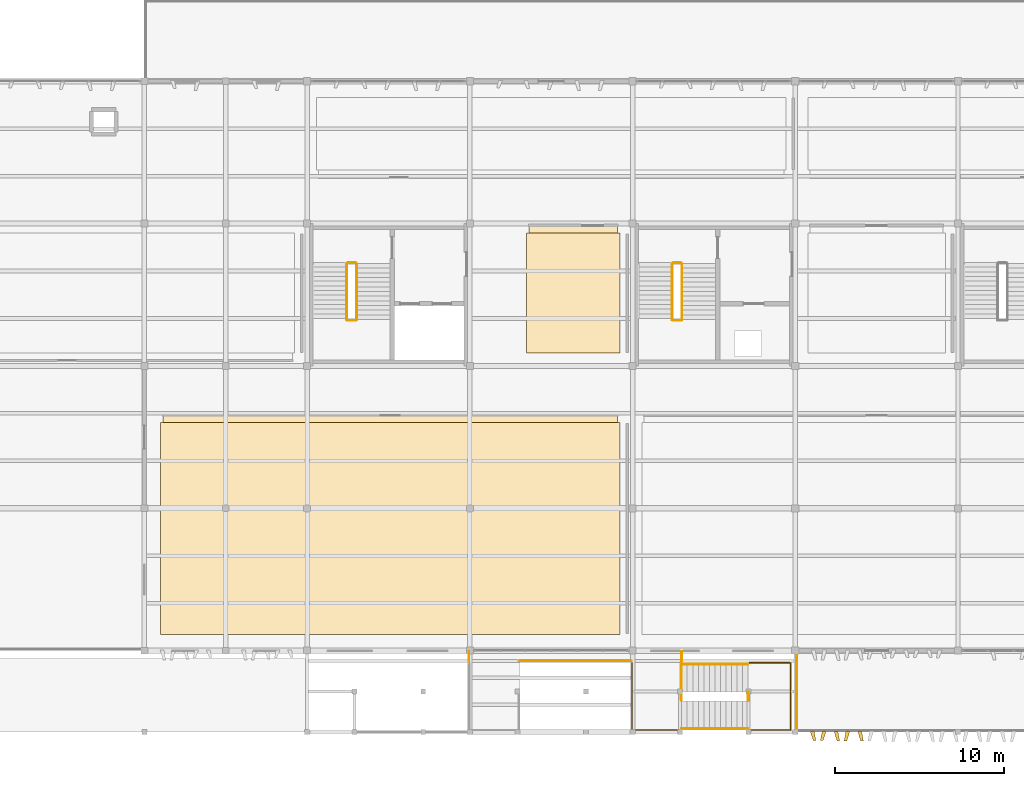
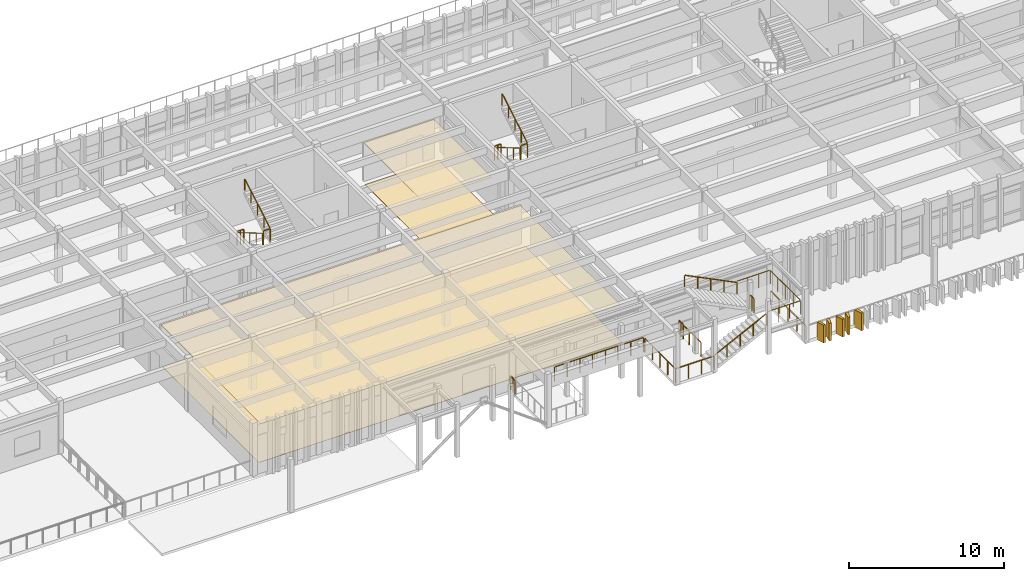
# One storey, part 54 of 61: 18 railings, 9 coverings.
"""IFC4 building model written with IfcOpenShell, lengths in metres."""

from ifc_helpers import new_model, si_unit, direction, frame, origin, origin_2d, place, context, subcontext, project, spatial, polyline, circle, outline, extrude, material, layer, layer_set, type_object, element, save


model = new_model("IFC4")

# Units and contexts
model_context = context("Model", 3, precision=1e-05, world=origin(), true_north=direction((0.0, 1.0)))
body_context = subcontext(model_context, "Body", "Model", "MODEL_VIEW")
ifc_project = project(units=[si_unit("LENGTHUNIT", "METRE"), si_unit("AREAUNIT", "SQUARE_METRE"), si_unit("VOLUMEUNIT", "CUBIC_METRE"), si_unit("PLANEANGLEUNIT", "RADIAN"), si_unit("MASSUNIT", "GRAM", prefix="KILO")], contexts=[model_context])

# Site, building, storey
site_placement = place(None, origin())
site = spatial("IfcSite", under=ifc_project, at=site_placement, CompositionType="ELEMENT")
building_placement = place(site_placement, origin())
building = spatial("IfcBuilding", under=site, at=building_placement, Name="Kolvemor Railside Polytechnic", CompositionType="ELEMENT")
storey_placement = place(building_placement, frame((0.0, 0.0, 10.199951171875)))
storey = spatial("IfcBuildingStorey", under=building, at=storey_placement, Name="L02", CompositionType="ELEMENT", Elevation=10.199951171875)

# Coverings
ifc_material_1 = material(Name="Perforated acoustic mineral-fibre and timber-slat ceiling", Category="wood")
ifc_layer_1 = layer(ifc_material_1, 0.02490234375, Name="COV-CEIL-1")
ifc_layer_set_1 = layer_set([ifc_layer_1], Name="Perforated acoustic mineral-fibre and timber-slat ceiling")
covering_type_1 = type_object("IfcCoveringType", Name="COV-CEIL-1", PredefinedType="CEILING", material=ifc_layer_set_1)
covering_1_placement = place(storey_placement, frame((0.0, 0.0, 3.005126953125)))
element("IfcCovering", 1, at=covering_1_placement, inside=storey, type_object=covering_type_1, Name="Parametric Timber Fabrication Design Studio Acoustic Ceiling", PredefinedType="CEILING", context=body_context, shape_type="SweptSolid", body=[
    extrude(outline(polyline([(58.679931640625, 5.75), (85.52001953125, 5.75), (85.52001953125, 18.679931640625), (58.679931640625, 18.679931640625), (58.679931640625, 5.75)])), origin(), (0.0, 0.0, 1.0), 0.02490234375),
])
covering_2_placement = place(storey_placement, frame((0.0, 0.0, 3.005126953125)))
element("IfcCovering", 2, at=covering_2_placement, inside=storey, type_object=covering_type_1, Name="Building Automation Systems Laboratory Acoustic Ceiling", PredefinedType="CEILING", context=body_context, shape_type="SweptSolid", body=[
    extrude(outline(polyline([(80.280029296875, 22.35009765625), (85.52001953125, 22.35009765625), (85.52001953125, 29.8798828125), (80.280029296875, 29.8798828125), (80.280029296875, 22.35009765625)])), origin(), (0.0, 0.0, 1.0), 0.02490234375),
])
ifc_material_2 = material(Name="Champagne-bronze PVDF-anodised marine aluminium 5052-H32", Category="aluminium")
ifc_layer_2 = layer(ifc_material_2, 0.179931640625, Name="COV-FIN-CHAMP")
ifc_layer_set_2 = layer_set([ifc_layer_2], Name="Champagne-bronze PVDF-anodised marine aluminium 5052-H32")
covering_type_2 = type_object("IfcCoveringType", Name="COV-FIN-CHAMP", PredefinedType="CLADDING", material=ifc_layer_set_2)
covering_3_placement = place(storey_placement, frame((0.0, 0.0, -0.239990234375)))
element("IfcCovering", 3, at=covering_3_placement, inside=storey, type_object=covering_type_2, Name="Pleated Solar Fin L02-0757", PredefinedType="CLADDING", context=body_context, shape_type="SweptSolid", body=[
    extrude(outline(polyline([(96.885009765625, 0.034912109375), (97.114990234375, 0.034912109375), (97.219970703125, -0.498046875), (97.06005859375, -0.498046875), (96.885009765625, 0.034912109375)])), origin(), (0.0, 0.0, 1.0), 1.39013671875),
])
covering_4_placement = place(storey_placement, frame((0.0, 0.0, -0.239990234375)))
element("IfcCovering", 4, at=covering_4_placement, inside=storey, type_object=covering_type_2, Name="Pleated Solar Fin L02-0758", PredefinedType="CLADDING", context=body_context, shape_type="SweptSolid", body=[
    extrude(outline(polyline([(97.5849609375, 0.034912109375), (97.81494140625, 0.034912109375), (97.639892578125, -0.507080078125), (97.47998046875, -0.507080078125), (97.5849609375, 0.034912109375)])), origin(), (0.0, 0.0, 1.0), 1.39013671875),
])
covering_5_placement = place(storey_placement, frame((0.0, 0.0, -0.239990234375)))
element("IfcCovering", 5, at=covering_5_placement, inside=storey, type_object=covering_type_2, Name="Pleated Solar Fin L02-0759", PredefinedType="CLADDING", context=body_context, shape_type="SweptSolid", body=[
    extrude(outline(polyline([(98.284912109375, 0.034912109375), (98.514892578125, 0.034912109375), (98.6201171875, -0.51611328125), (98.4599609375, -0.51611328125), (98.284912109375, 0.034912109375)])), origin(), (0.0, 0.0, 1.0), 1.39013671875),
])
covering_6_placement = place(storey_placement, frame((0.0, 0.0, -0.239990234375)))
element("IfcCovering", 6, at=covering_6_placement, inside=storey, type_object=covering_type_2, Name="Pleated Solar Fin L02-0760", PredefinedType="CLADDING", context=body_context, shape_type="SweptSolid", body=[
    extrude(outline(polyline([(98.985107421875, 0.034912109375), (99.215087890625, 0.034912109375), (99.0400390625, -0.52392578125), (98.8798828125, -0.52392578125), (98.985107421875, 0.034912109375)])), origin(), (0.0, 0.0, 1.0), 1.39013671875),
])
covering_7_placement = place(storey_placement, frame((0.0, 0.0, -0.239990234375)))
element("IfcCovering", 7, at=covering_7_placement, inside=storey, type_object=covering_type_2, Name="Pleated Solar Fin L02-0761", PredefinedType="CLADDING", context=body_context, shape_type="SweptSolid", body=[
    extrude(outline(polyline([(99.68505859375, 0.034912109375), (99.9150390625, 0.034912109375), (100.02001953125, -0.531982421875), (99.860107421875, -0.531982421875), (99.68505859375, 0.034912109375)])), origin(), (0.0, 0.0, 1.0), 1.39013671875),
])
ifc_material_3 = material(Name="Polished coral-aggregate terrazzo and laboratory epoxy flooring")
ifc_layer_3 = layer(ifc_material_3, 0.02001953125, Name="COV-FLR-1")
ifc_layer_set_3 = layer_set([ifc_layer_3], Name="Polished coral-aggregate terrazzo and laboratory epoxy flooring")
covering_type_3 = type_object("IfcCoveringType", Name="COV-FLR-1", PredefinedType="FLOORING", material=ifc_layer_set_3)
covering_8_placement = place(storey_placement, origin())
element("IfcCovering", 8, at=covering_8_placement, inside=storey, type_object=covering_type_3, Name="Parametric Timber Fabrication Design Studio Floor Finish", PredefinedType="FLOORING", context=body_context, shape_type="SweptSolid", body=[
    extrude(outline(polyline([(58.550048828125, 5.75), (85.64990234375, 5.75), (85.64990234375, 18.25), (58.550048828125, 18.25), (58.550048828125, 5.75)])), origin(), (0.0, 0.0, 1.0), 0.02001953125),
])
covering_9_placement = place(storey_placement, origin())
element("IfcCovering", 9, at=covering_9_placement, inside=storey, type_object=covering_type_3, Name="Building Automation Systems Laboratory Floor Finish", PredefinedType="FLOORING", context=body_context, shape_type="SweptSolid", body=[
    extrude(outline(polyline([(80.14990234375, 22.35009765625), (85.64990234375, 22.35009765625), (85.64990234375, 29.449951171875), (80.14990234375, 29.449951171875), (80.14990234375, 22.35009765625)])), origin(), (0.0, 0.0, 1.0), 0.02001953125),
])

# Railings
ifc_material_4 = material(Name="AISI 316 marine stainless-steel balustrade guard", Category="steel")
railing_type_1 = type_object("IfcRailingType", Name="RLG-GUARD-1120", PredefinedType="BALUSTRADE", material=ifc_material_4)
railing_1_placement = place(storey_placement, frame((96.080078125, 4.659912109375, 0.0)))
element("IfcRailing", 10, at=railing_1_placement, inside=storey, type_object=railing_type_1, Name="Shifted East Loggia Terrace L02 W Guard GR-010", PredefinedType="BALUSTRADE", context=body_context, shape_type="SweptSolid", body=[
    extrude(circle(Radius=0.02392578125, at=origin_2d()), frame((0.0, -0.054931640625, 1.09619140625), z_axis=(0.0, -1.0, 0.0), x_axis=(1.0, 0.0, 0.0)), (0.0, 0.0, 1.0), 4.4697265625),
    extrude(circle(Radius=0.02099609375, at=origin_2d()), origin(), (0.0, 0.0, 1.0), 1.05712890625),
    extrude(circle(Radius=0.02099609375, at=origin_2d()), frame((0.0, -1.14501953125, 0.0)), (0.0, 0.0, 1.0), 1.05712890625),
    extrude(circle(Radius=0.02099609375, at=origin_2d()), frame((0.0, -2.2900390625, 0.0)), (0.0, 0.0, 1.0), 1.05712890625),
    extrude(circle(Radius=0.02099609375, at=origin_2d()), frame((0.0, -3.434814453125, 0.0)), (0.0, 0.0, 1.0), 1.05712890625),
    extrude(circle(Radius=0.02099609375, at=origin_2d()), frame((0.0, -4.579833984375, 0.0)), (0.0, 0.0, 1.0), 1.05712890625),
])
railing_2_placement = place(storey_placement, frame((69.580078125, 27.679931640625, 0.0)))
element("IfcRailing", 11, at=railing_2_placement, inside=storey, type_object=railing_type_1, Name="ST-1 Floor Slot Guard L02", PredefinedType="BALUSTRADE", context=body_context, shape_type="SweptSolid", body=[
    extrude(circle(Radius=0.02392578125, at=origin_2d()), frame((0.054931640625, 0.0, 1.09619140625), z_axis=(1.0, 0.0, 0.0), x_axis=(0.0, 1.0, 0.0)), (0.0, 0.0, 1.0), 0.389892578125),
    extrude(circle(Radius=0.02099609375, at=origin_2d()), origin(), (0.0, 0.0, 1.0), 1.05712890625),
    extrude(circle(Radius=0.02099609375, at=origin_2d()), frame((0.25, 0.0, 0.0)), (0.0, 0.0, 1.0), 1.05712890625),
    extrude(circle(Radius=0.02099609375, at=origin_2d()), frame((0.5, 0.0, 0.0)), (0.0, 0.0, 1.0), 1.05712890625),
])
railing_3_placement = place(storey_placement, frame((69.580078125, 24.280029296875, 2.10009765625)))
element("IfcRailing", 12, at=railing_3_placement, inside=storey, type_object=railing_type_1, Name="ST-1 Half-Landing Slot Guard L02", PredefinedType="BALUSTRADE", context=body_context, shape_type="SweptSolid", body=[
    extrude(circle(Radius=0.02392578125, at=origin_2d()), frame((0.054931640625, 0.0, 1.09619140625), z_axis=(1.0, 0.0, 0.0), x_axis=(0.0, 1.0, 0.0)), (0.0, 0.0, 1.0), 0.389892578125),
    extrude(circle(Radius=0.02099609375, at=origin_2d()), origin(), (0.0, 0.0, 1.0), 1.05712890625),
    extrude(circle(Radius=0.02099609375, at=origin_2d()), frame((0.5, 0.0, 0.0)), (0.0, 0.0, 1.0), 1.05712890625),
])
railing_4_placement = place(storey_placement, frame((88.780029296875, 27.679931640625, 0.0)))
element("IfcRailing", 13, at=railing_4_placement, inside=storey, type_object=railing_type_1, Name="ST-3 Floor Slot Guard L02", PredefinedType="BALUSTRADE", context=body_context, shape_type="SweptSolid", body=[
    extrude(circle(Radius=0.02392578125, at=origin_2d()), frame((0.054931640625, 0.0, 1.09619140625), z_axis=(1.0, 0.0, 0.0), x_axis=(0.0, 1.0, 0.0)), (0.0, 0.0, 1.0), 0.389892578125),
    extrude(circle(Radius=0.02099609375, at=origin_2d()), origin(), (0.0, 0.0, 1.0), 1.05712890625),
    extrude(circle(Radius=0.02099609375, at=origin_2d()), frame((0.25, 0.0, 0.0)), (0.0, 0.0, 1.0), 1.05712890625),
    extrude(circle(Radius=0.02099609375, at=origin_2d()), frame((0.5, 0.0, 0.0)), (0.0, 0.0, 1.0), 1.05712890625),
])
railing_5_placement = place(storey_placement, frame((88.780029296875, 24.280029296875, 2.10009765625)))
element("IfcRailing", 14, at=railing_5_placement, inside=storey, type_object=railing_type_1, Name="ST-3 Half-Landing Slot Guard L02", PredefinedType="BALUSTRADE", context=body_context, shape_type="SweptSolid", body=[
    extrude(circle(Radius=0.02392578125, at=origin_2d()), frame((0.054931640625, 0.0, 1.09619140625), z_axis=(1.0, 0.0, 0.0), x_axis=(0.0, 1.0, 0.0)), (0.0, 0.0, 1.0), 0.389892578125),
    extrude(circle(Radius=0.02099609375, at=origin_2d()), origin(), (0.0, 0.0, 1.0), 1.05712890625),
    extrude(circle(Radius=0.02099609375, at=origin_2d()), frame((0.5, 0.0, 0.0)), (0.0, 0.0, 1.0), 1.05712890625),
])
railing_6_placement = place(storey_placement, frame((89.280029296875, 0.1201171875, 0.0)))
element("IfcRailing", 15, at=railing_6_placement, inside=storey, type_object=railing_type_1, Name="ST-EXT Departure Landing Guard L02", PredefinedType="BALUSTRADE", context=body_context, shape_type="SweptSolid", body=[
    extrude(circle(Radius=0.02392578125, at=origin_2d()), frame((-0.054931640625, 0.0, 1.09619140625), z_axis=(-1.0, 0.0, 0.0), x_axis=(0.0, -1.0, 0.0)), (0.0, 0.0, 1.0), 2.7998046875),
    extrude(circle(Radius=0.02392578125, at=origin_2d()), frame((-2.909912109375, 0.054931640625, 1.09619140625), z_axis=(0.0, 1.0, 0.0), x_axis=(-1.0, 0.0, 0.0)), (0.0, 0.0, 1.0), 3.849853515625),
    extrude(circle(Radius=0.02099609375, at=origin_2d()), origin(), (0.0, 0.0, 1.0), 1.05712890625),
    extrude(circle(Radius=0.02099609375, at=origin_2d()), frame((-0.969970703125, 0.0, 0.0)), (0.0, 0.0, 1.0), 1.05712890625),
    extrude(circle(Radius=0.02099609375, at=origin_2d()), frame((-1.93994140625, 0.0, 0.0)), (0.0, 0.0, 1.0), 1.05712890625),
    extrude(circle(Radius=0.02099609375, at=origin_2d()), frame((-2.909912109375, 0.0, 0.0)), (0.0, 0.0, 1.0), 1.05712890625),
    extrude(circle(Radius=0.02099609375, at=origin_2d()), frame((-2.909912109375, 0.989990234375, 0.0)), (0.0, 0.0, 1.0), 1.05712890625),
    extrude(circle(Radius=0.02099609375, at=origin_2d()), frame((-2.909912109375, 1.97998046875, 0.0)), (0.0, 0.0, 1.0), 1.05712890625),
    extrude(circle(Radius=0.02099609375, at=origin_2d()), frame((-2.909912109375, 2.969970703125, 0.0)), (0.0, 0.0, 1.0), 1.05712890625),
    extrude(circle(Radius=0.02099609375, at=origin_2d()), frame((-2.909912109375, 3.9599609375, 0.0)), (0.0, 0.0, 1.0), 1.05712890625),
])
railing_7_placement = place(storey_placement, frame((89.280029296875, 1.860107421875, 0.0)))
element("IfcRailing", 16, at=railing_7_placement, inside=storey, type_object=railing_type_1, Name="ST-EXT Departure Landing East Guard L02", PredefinedType="BALUSTRADE", context=body_context, shape_type="SweptSolid", body=[
    extrude(circle(Radius=0.02392578125, at=origin_2d()), frame((0.0, 0.054931640625, 1.09619140625), z_axis=(0.0, 1.0, 0.0), x_axis=(-1.0, 0.0, 0.0)), (0.0, 0.0, 1.0), 2.169677734375),
    extrude(circle(Radius=0.02099609375, at=origin_2d()), origin(), (0.0, 0.0, 1.0), 1.05712890625),
    extrude(circle(Radius=0.02099609375, at=origin_2d()), frame((0.0, 0.760009765625, 0.0)), (0.0, 0.0, 1.0), 1.05712890625),
    extrude(circle(Radius=0.02099609375, at=origin_2d()), frame((0.0, 1.519775390625, 0.0)), (0.0, 0.0, 1.0), 1.05712890625),
    extrude(circle(Radius=0.02099609375, at=origin_2d()), frame((0.0, 2.27978515625, 0.0)), (0.0, 0.0, 1.0), 1.05712890625),
])
railing_8_placement = place(storey_placement, frame((79.7099609375, 4.199951171875, 0.0)))
element("IfcRailing", 17, at=railing_8_placement, inside=storey, type_object=railing_type_1, Name="ST-EXT Rear Gallery South Guard L02-1", PredefinedType="BALUSTRADE", context=body_context, shape_type="SweptSolid", body=[
    extrude(circle(Radius=0.02392578125, at=origin_2d()), frame((0.054931640625, 0.0, 1.09619140625), z_axis=(1.0, 0.0, 0.0), x_axis=(0.0, 1.0, 0.0)), (0.0, 0.0, 1.0), 6.52001953125),
    extrude(circle(Radius=0.02099609375, at=origin_2d()), origin(), (0.0, 0.0, 1.0), 1.05712890625),
    extrude(circle(Radius=0.02099609375, at=origin_2d()), frame((0.947265625, 0.0, 0.0)), (0.0, 0.0, 1.0), 1.05712890625),
    extrude(circle(Radius=0.02099609375, at=origin_2d()), frame((1.894287109375, 0.0, 0.0)), (0.0, 0.0, 1.0), 1.05712890625),
    extrude(circle(Radius=0.02099609375, at=origin_2d()), frame((2.841552734375, 0.0, 0.0)), (0.0, 0.0, 1.0), 1.05712890625),
    extrude(circle(Radius=0.02099609375, at=origin_2d()), frame((3.78857421875, 0.0, 0.0)), (0.0, 0.0, 1.0), 1.05712890625),
    extrude(circle(Radius=0.02099609375, at=origin_2d()), frame((4.73583984375, 0.0, 0.0)), (0.0, 0.0, 1.0), 1.05712890625),
    extrude(circle(Radius=0.02099609375, at=origin_2d()), frame((5.682861328125, 0.0, 0.0)), (0.0, 0.0, 1.0), 1.05712890625),
    extrude(circle(Radius=0.02099609375, at=origin_2d()), frame((6.630126953125, 0.0, 0.0)), (0.0, 0.0, 1.0), 1.05712890625),
])
for number, where, name in (
    (18, (76.75, 4.179931640625, 0.0), "ST-EXT Rear Gallery West End Guard L02-1"),
    (19, (89.300048828125, 4.179931640625, 0.0), "ST-EXT Rear Gallery East End Guard L02-1"),
):
    element("IfcRailing", number, at=place(storey_placement, frame(where)), inside=storey, type_object=railing_type_1, Name=name, PredefinedType="BALUSTRADE", context=body_context, shape_type="SweptSolid", body=[
        extrude(circle(Radius=0.02392578125, at=origin_2d()), frame((0.0, 0.054931640625, 1.09619140625), z_axis=(0.0, 1.0, 0.0), x_axis=(-1.0, 0.0, 0.0)), (0.0, 0.0, 1.0), 0.449951171875),
        extrude(circle(Radius=0.02099609375, at=origin_2d()), origin(), (0.0, 0.0, 1.0), 1.05712890625),
        extrude(circle(Radius=0.02099609375, at=origin_2d()), frame((0.0, 0.280029296875, 0.0)), (0.0, 0.0, 1.0), 1.05712890625),
        extrude(circle(Radius=0.02099609375, at=origin_2d()), frame((0.0, 0.56005859375, 0.0)), (0.0, 0.0, 1.0), 1.05712890625),
    ])
railing_9_placement = place(storey_placement, frame((93.219970703125, 0.1201171875, 2.10009765625)))
element("IfcRailing", 20, at=railing_9_placement, inside=storey, type_object=railing_type_1, Name="ST-EXT Half-Landing Perimeter Guard L02", PredefinedType="BALUSTRADE", context=body_context, shape_type="SweptSolid", body=[
    extrude(circle(Radius=0.02392578125, at=origin_2d()), frame((0.054931640625, 0.0, 1.09619140625), z_axis=(1.0, 0.0, 0.0), x_axis=(0.0, 1.0, 0.0)), (0.0, 0.0, 1.0), 2.389892578125),
    extrude(circle(Radius=0.02392578125, at=origin_2d()), frame((2.5, 0.054931640625, 1.09619140625), z_axis=(0.0, 1.0, 0.0), x_axis=(-1.0, 0.0, 0.0)), (0.0, 0.0, 1.0), 3.849853515625),
    extrude(circle(Radius=0.02392578125, at=origin_2d()), frame((2.445068359375, 3.9599609375, 1.09619140625), z_axis=(-1.0, 0.0, 0.0), x_axis=(0.0, -1.0, 0.0)), (0.0, 0.0, 1.0), 2.389892578125),
    extrude(circle(Radius=0.02099609375, at=origin_2d()), origin(), (0.0, 0.0, 1.0), 1.05712890625),
    extrude(circle(Radius=0.02099609375, at=origin_2d()), frame((0.833251953125, 0.0, 0.0)), (0.0, 0.0, 1.0), 1.05712890625),
    extrude(circle(Radius=0.02099609375, at=origin_2d()), frame((1.666748046875, 0.0, 0.0)), (0.0, 0.0, 1.0), 1.05712890625),
    extrude(circle(Radius=0.02099609375, at=origin_2d()), frame((2.5, 0.0, 0.0)), (0.0, 0.0, 1.0), 1.05712890625),
    extrude(circle(Radius=0.02099609375, at=origin_2d()), frame((2.5, 0.989990234375, 0.0)), (0.0, 0.0, 1.0), 1.05712890625),
    extrude(circle(Radius=0.02099609375, at=origin_2d()), frame((2.5, 1.97998046875, 0.0)), (0.0, 0.0, 1.0), 1.05712890625),
    extrude(circle(Radius=0.02099609375, at=origin_2d()), frame((2.5, 2.969970703125, 0.0)), (0.0, 0.0, 1.0), 1.05712890625),
    extrude(circle(Radius=0.02099609375, at=origin_2d()), frame((2.5, 3.9599609375, 0.0)), (0.0, 0.0, 1.0), 1.05712890625),
    extrude(circle(Radius=0.02099609375, at=origin_2d()), frame((1.666748046875, 3.9599609375, 0.0)), (0.0, 0.0, 1.0), 1.05712890625),
    extrude(circle(Radius=0.02099609375, at=origin_2d()), frame((0.833251953125, 3.9599609375, 0.0)), (0.0, 0.0, 1.0), 1.05712890625),
    extrude(circle(Radius=0.02099609375, at=origin_2d()), frame((0.0, 3.9599609375, 0.0)), (0.0, 0.0, 1.0), 1.05712890625),
])
railing_10_placement = place(storey_placement, frame((93.219970703125, 1.840087890625, 2.10009765625)))
element("IfcRailing", 21, at=railing_10_placement, inside=storey, type_object=railing_type_1, Name="ST-EXT Half-Landing Slot Guard L02", PredefinedType="BALUSTRADE", context=body_context, shape_type="SweptSolid", body=[
    extrude(circle(Radius=0.02392578125, at=origin_2d()), frame((0.0, 0.054931640625, 1.09619140625), z_axis=(0.0, 1.0, 0.0), x_axis=(-1.0, 0.0, 0.0)), (0.0, 0.0, 1.0), 0.409912109375),
    extrude(circle(Radius=0.02099609375, at=origin_2d()), origin(), (0.0, 0.0, 1.0), 1.05712890625),
    extrude(circle(Radius=0.02099609375, at=origin_2d()), frame((0.0, 0.260009765625, 0.0)), (0.0, 0.0, 1.0), 1.05712890625),
    extrude(circle(Radius=0.02099609375, at=origin_2d()), frame((0.0, 0.52001953125, 0.0)), (0.0, 0.0, 1.0), 1.05712890625),
])
ifc_material_5 = material(Name="Brushed AISI 316 stainless-steel stair handrail", Category="steel")
railing_type_2 = type_object("IfcRailingType", Name="RLG-HANDRAIL-920", PredefinedType="HANDRAIL", material=ifc_material_5)
railing_11_placement = place(storey_placement, frame((69.5400390625, 27.6201171875, 0.16162109375)))
element("IfcRailing", 22, at=railing_11_placement, inside=storey, type_object=railing_type_2, Name="ST-1 Flight 1 Handrail L02", PredefinedType="HANDRAIL", context=body_context, shape_type="SweptSolid", body=[
    extrude(circle(Radius=0.02392578125, at=origin_2d()), frame((0.0, -0.04736328125, 0.923828125), z_axis=(0.0, -0.862245621732, 0.506490362991), x_axis=(1.0, 0.0, 0.0)), (0.0, 0.0, 1.0), 3.71728515625),
    extrude(circle(Radius=0.02099609375, at=origin_2d()), origin(), (0.0, 0.0, 1.0), 0.85693359375),
    extrude(circle(Radius=0.02099609375, at=origin_2d()), frame((0.0, -0.824951171875, 0.484619140625)), (0.0, 0.0, 1.0), 0.85693359375),
    extrude(circle(Radius=0.02099609375, at=origin_2d()), frame((0.0, -1.64990234375, 0.96923828125)), (0.0, 0.0, 1.0), 0.85693359375),
    extrude(circle(Radius=0.02099609375, at=origin_2d()), frame((0.0, -2.47509765625, 1.453857421875)), (0.0, 0.0, 1.0), 0.85693359375),
    extrude(circle(Radius=0.02099609375, at=origin_2d()), frame((0.0, -3.300048828125, 1.9384765625)), (0.0, 0.0, 1.0), 0.85693359375),
])
railing_12_placement = place(storey_placement, frame((70.1201171875, 24.320068359375, 2.261474609375)))
element("IfcRailing", 23, at=railing_12_placement, inside=storey, type_object=railing_type_2, Name="ST-1 Flight 2 Handrail L02", PredefinedType="HANDRAIL", context=body_context, shape_type="SweptSolid", body=[
    extrude(circle(Radius=0.02392578125, at=origin_2d()), frame((0.0, 0.04736328125, 0.923828125), z_axis=(0.0, 0.862245621732, 0.506490362991), x_axis=(-1.0, 0.0, 0.0)), (0.0, 0.0, 1.0), 3.71728515625),
    extrude(circle(Radius=0.02099609375, at=origin_2d()), origin(), (0.0, 0.0, 1.0), 0.85693359375),
    extrude(circle(Radius=0.02099609375, at=origin_2d()), frame((0.0, 0.824951171875, 0.484619140625)), (0.0, 0.0, 1.0), 0.85693359375),
    extrude(circle(Radius=0.02099609375, at=origin_2d()), frame((0.0, 1.64990234375, 0.96923828125)), (0.0, 0.0, 1.0), 0.85693359375),
    extrude(circle(Radius=0.02099609375, at=origin_2d()), frame((0.0, 2.47509765625, 1.453857421875)), (0.0, 0.0, 1.0), 0.85693359375),
    extrude(circle(Radius=0.02099609375, at=origin_2d()), frame((0.0, 3.300048828125, 1.9384765625)), (0.0, 0.0, 1.0), 0.85693359375),
])
railing_13_placement = place(storey_placement, frame((88.739990234375, 27.6201171875, 0.16162109375)))
element("IfcRailing", 24, at=railing_13_placement, inside=storey, type_object=railing_type_2, Name="ST-3 Flight 1 Handrail L02", PredefinedType="HANDRAIL", context=body_context, shape_type="SweptSolid", body=[
    extrude(circle(Radius=0.02392578125, at=origin_2d()), frame((0.0, -0.04736328125, 0.923828125), z_axis=(0.0, -0.862245621732, 0.506490362991), x_axis=(1.0, 0.0, 0.0)), (0.0, 0.0, 1.0), 3.71728515625),
    extrude(circle(Radius=0.02099609375, at=origin_2d()), origin(), (0.0, 0.0, 1.0), 0.85693359375),
    extrude(circle(Radius=0.02099609375, at=origin_2d()), frame((0.0, -0.824951171875, 0.484619140625)), (0.0, 0.0, 1.0), 0.85693359375),
    extrude(circle(Radius=0.02099609375, at=origin_2d()), frame((0.0, -1.64990234375, 0.96923828125)), (0.0, 0.0, 1.0), 0.85693359375),
    extrude(circle(Radius=0.02099609375, at=origin_2d()), frame((0.0, -2.47509765625, 1.453857421875)), (0.0, 0.0, 1.0), 0.85693359375),
    extrude(circle(Radius=0.02099609375, at=origin_2d()), frame((0.0, -3.300048828125, 1.9384765625)), (0.0, 0.0, 1.0), 0.85693359375),
])
railing_14_placement = place(storey_placement, frame((89.320068359375, 24.320068359375, 2.261474609375)))
element("IfcRailing", 25, at=railing_14_placement, inside=storey, type_object=railing_type_2, Name="ST-3 Flight 2 Handrail L02", PredefinedType="HANDRAIL", context=body_context, shape_type="SweptSolid", body=[
    extrude(circle(Radius=0.02392578125, at=origin_2d()), frame((0.0, 0.04736328125, 0.923828125), z_axis=(0.0, 0.862245621732, 0.506490362991), x_axis=(-1.0, 0.0, 0.0)), (0.0, 0.0, 1.0), 3.71728515625),
    extrude(circle(Radius=0.02099609375, at=origin_2d()), origin(), (0.0, 0.0, 1.0), 0.85693359375),
    extrude(circle(Radius=0.02099609375, at=origin_2d()), frame((0.0, 0.824951171875, 0.484619140625)), (0.0, 0.0, 1.0), 0.85693359375),
    extrude(circle(Radius=0.02099609375, at=origin_2d()), frame((0.0, 1.64990234375, 0.96923828125)), (0.0, 0.0, 1.0), 0.85693359375),
    extrude(circle(Radius=0.02099609375, at=origin_2d()), frame((0.0, 2.47509765625, 1.453857421875)), (0.0, 0.0, 1.0), 0.85693359375),
    extrude(circle(Radius=0.02099609375, at=origin_2d()), frame((0.0, 3.300048828125, 1.9384765625)), (0.0, 0.0, 1.0), 0.85693359375),
])
railing_15_placement = place(storey_placement, frame((89.300048828125, 0.199951171875, 0.16162109375)))
element("IfcRailing", 26, at=railing_15_placement, inside=storey, type_object=railing_type_2, Name="ST-EXT Flight 1 Handrail L02", PredefinedType="HANDRAIL", context=body_context, shape_type="SweptSolid", body=[
    extrude(circle(Radius=0.02392578125, at=origin_2d()), frame((0.04931640625, 0.0, 0.92041015625), z_axis=(0.895478607335, 0.0, 0.44510455379), x_axis=(0.0, 1.0, 0.0)), (0.0, 0.0, 1.0), 4.2451171875),
    extrude(circle(Radius=0.02099609375, at=origin_2d()), origin(), (0.0, 0.0, 1.0), 0.85693359375),
    extrude(circle(Radius=0.02099609375, at=origin_2d()), frame((0.97509765625, 0.0, 0.484619140625)), (0.0, 0.0, 1.0), 0.85693359375),
    extrude(circle(Radius=0.02099609375, at=origin_2d()), frame((1.949951171875, 0.0, 0.96923828125)), (0.0, 0.0, 1.0), 0.85693359375),
    extrude(circle(Radius=0.02099609375, at=origin_2d()), frame((2.9248046875, 0.0, 1.453857421875)), (0.0, 0.0, 1.0), 0.85693359375),
    extrude(circle(Radius=0.02099609375, at=origin_2d()), frame((3.89990234375, 0.0, 1.9384765625)), (0.0, 0.0, 1.0), 0.85693359375),
])
railing_16_placement = place(storey_placement, frame((93.199951171875, 4.0, 2.261474609375)))
element("IfcRailing", 27, at=railing_16_placement, inside=storey, type_object=railing_type_2, Name="ST-EXT Flight 2 Handrail L02", PredefinedType="HANDRAIL", context=body_context, shape_type="SweptSolid", body=[
    extrude(circle(Radius=0.02392578125, at=origin_2d()), frame((-0.04931640625, 0.0, 0.92041015625), z_axis=(-0.895478607335, 0.0, 0.44510455379), x_axis=(0.0, -1.0, 0.0)), (0.0, 0.0, 1.0), 4.2451171875),
    extrude(circle(Radius=0.02099609375, at=origin_2d()), origin(), (0.0, 0.0, 1.0), 0.85693359375),
    extrude(circle(Radius=0.02099609375, at=origin_2d()), frame((-0.97509765625, 0.0, 0.484619140625)), (0.0, 0.0, 1.0), 0.85693359375),
    extrude(circle(Radius=0.02099609375, at=origin_2d()), frame((-1.949951171875, 0.0, 0.96923828125)), (0.0, 0.0, 1.0), 0.85693359375),
    extrude(circle(Radius=0.02099609375, at=origin_2d()), frame((-2.9248046875, 0.0, 1.453857421875)), (0.0, 0.0, 1.0), 0.85693359375),
    extrude(circle(Radius=0.02099609375, at=origin_2d()), frame((-3.89990234375, 0.0, 1.9384765625)), (0.0, 0.0, 1.0), 0.85693359375),
])

save(model, "model.ifc")
